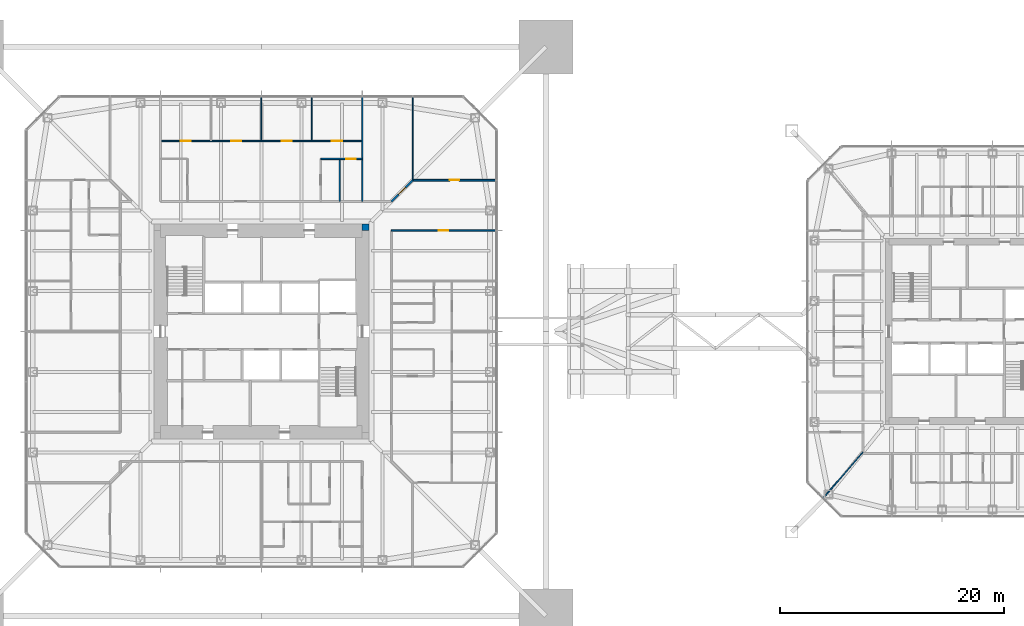
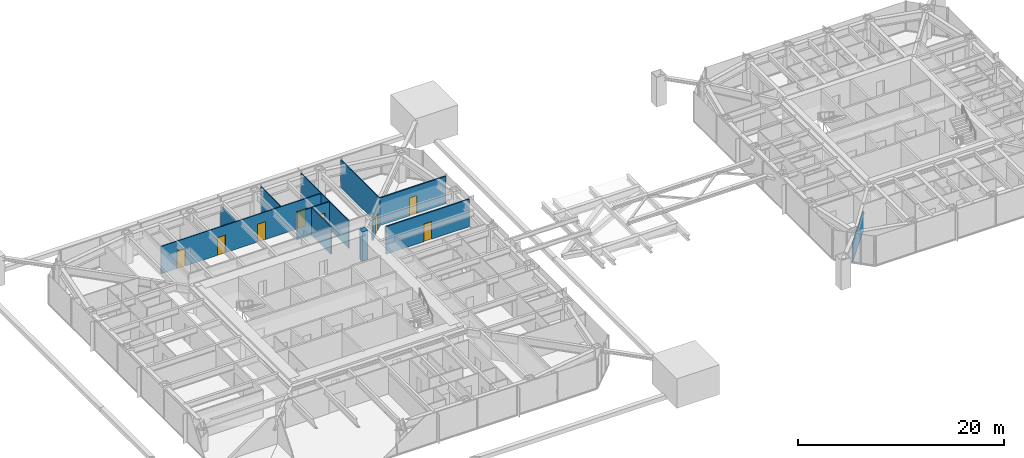
# One storey, part 17 of 26: 12 walls, 8 doors, 8 openings.
"""IFC4 building model written with IfcOpenShell, lengths in metres."""

from ifc_helpers import new_model, si_unit, direction, frame, frame_2d, origin, place, context, subcontext, project, spatial, rectangle, extrude, material, layer, layer_set, type_object, element, fill, save


model = new_model("IFC4")

# Units and contexts
model_context = context("Model", 3, precision=1e-05, world=origin(), true_north=direction((0.0, 1.0)))
body_context = subcontext(model_context, "Body", "Model", "MODEL_VIEW")
ifc_project = project(units=[si_unit("LENGTHUNIT", "METRE"), si_unit("AREAUNIT", "SQUARE_METRE"), si_unit("VOLUMEUNIT", "CUBIC_METRE"), si_unit("PLANEANGLEUNIT", "RADIAN"), si_unit("MASSUNIT", "GRAM", prefix="KILO")], contexts=[model_context])

# Site, building, storey
site_placement = place(None, origin())
site = spatial("IfcSite", under=ifc_project, at=site_placement, CompositionType="ELEMENT")
building_placement = place(site_placement, origin())
building = spatial("IfcBuilding", under=site, at=building_placement, Name="Iwan Alto Co-Living Towers", CompositionType="ELEMENT")
storey_placement = place(building_placement, frame((0.0, 0.0, 126.0)))
storey = spatial("IfcBuildingStorey", under=building, at=storey_placement, Name="L34", CompositionType="ELEMENT", Elevation=126.0)

# Wall, opening, door
ifc_material_1 = material(Name="Gypsum board")
ifc_layer_1 = layer(ifc_material_1, 0.02490234375, Name="Board", Category="Finish")
ifc_material_2 = material(Name="Steel ASTM A1003 ST33H cold-formed studs", Category="steel")
ifc_layer_2 = layer(ifc_material_2, 0.10009765625, Name="Studs", Category="Framing")
ifc_layer_3 = layer(ifc_material_1, 0.02490234375, Name="Board", Category="Finish")
ifc_layer_set_1 = layer_set([ifc_layer_1, ifc_layer_2, ifc_layer_3], Name="CORRIDOR WALL 150")
wall_type_1 = type_object("IfcWallType", Name="CORRIDOR WALL 150", PredefinedType="PARTITIONING", material=ifc_layer_set_1)
wall_1_placement = place(storey_placement, frame((11.60009765625, 9.0, 0.0), z_axis=(0.0, 0.0, 1.0), x_axis=(1.0, 0.0, 0.0)))
wall_1 = element("IfcWall", 1, at=wall_1_placement, inside=storey, type_object=wall_type_1, Name="Partition L34", PredefinedType="PARTITIONING", context=body_context, shape_type="SweptSolid", body=[
    extrude(rectangle(XDim=9.33984375, YDim=0.14990234375, at=frame_2d((4.669921875, 0.0))), origin(), (0.0, 0.0, 1.0), 3.27001953125),
])
opening_1_placement = place(wall_1_placement, frame((4.2451171875, 0.0, 0.0)))
opening_1 = element("IfcOpeningElement", 2, at=opening_1_placement, cuts=wall_1, Name="Opening D2", PredefinedType="OPENING", context=body_context, shape_type="SweptSolid", body=[
    extrude(rectangle(XDim=0.85009765625, YDim=2.10009765625, at=frame_2d((0.425048828125, 1.050048828125))), frame((0.0, 0.0849609375, 0.0), z_axis=(0.0, -1.0, 0.0), x_axis=(1.0, 0.0, 0.0)), (0.0, 0.0, 1.0), 0.169921875),
])
ifc_material_3 = material(Name="Timber leaf in steel frame", Category="steel")
door_type_1 = type_object("IfcDoorType", Name="ROOM DOOR 850X2100", OperationType="SINGLE_SWING_LEFT", PredefinedType="DOOR", material=ifc_material_3)
door_1_placement = place(opening_1_placement, frame((0.85009765625, 0.0, 0.0), z_axis=(0.0, 0.0, 1.0), x_axis=(-1.0, 0.0, 0.0)))
door_1 = element("IfcDoor", 3, at=door_1_placement, inside=storey, type_object=door_type_1, Name="Teaching kitchen door L34", OperationType="SINGLE_SWING_RIGHT", OverallHeight=2.10009765625, OverallWidth=0.85009765625, PredefinedType="DOOR", context=body_context, shape_type="SweptSolid", body=[
    extrude(rectangle(XDim=0.85009765625, YDim=2.10009765625, at=frame_2d((0.425048828125, 1.050048828125))), frame((0.0, 0.02490234375, 0.0), z_axis=(0.0, -1.0, 0.0), x_axis=(1.0, 0.0, 0.0)), (0.0, 0.0, 1.0), 0.050048828125),
])
fill(opening_1, door_1)

wall_2_placement = place(storey_placement, frame((13.5, 13.5, 0.0), z_axis=(0.0, 0.0, 1.0), x_axis=(1.0, 0.0, 0.0)))
wall_2 = element("IfcWall", 4, at=wall_2_placement, inside=storey, type_object=wall_type_1, Name="Partition L34", PredefinedType="PARTITIONING", context=body_context, shape_type="SweptSolid", body=[
    extrude(rectangle(XDim=7.43994140625, YDim=0.14990234375, at=frame_2d((3.719970703125, 0.0))), origin(), (0.0, 0.0, 1.0), 3.27001953125),
])
opening_2_placement = place(wall_2_placement, frame((3.294921875, 0.0, 0.0)))
opening_2 = element("IfcOpeningElement", 5, at=opening_2_placement, cuts=wall_2, Name="Opening D2", PredefinedType="OPENING", context=body_context, shape_type="SweptSolid", body=[
    extrude(rectangle(XDim=0.85009765625, YDim=2.10009765625, at=frame_2d((0.425048828125, 1.050048828125))), frame((0.0, 0.0849609375, 0.0), z_axis=(0.0, -1.0, 0.0), x_axis=(1.0, 0.0, 0.0)), (0.0, 0.0, 1.0), 0.169921875),
])
door_2_placement = place(opening_2_placement, origin())
door_2 = element("IfcDoor", 6, at=door_2_placement, inside=storey, type_object=door_type_1, Name="Shared kitchen and lounge door L34", OperationType="SINGLE_SWING_LEFT", OverallHeight=2.10009765625, OverallWidth=0.85009765625, PredefinedType="DOOR", context=body_context, shape_type="SweptSolid", body=[
    extrude(rectangle(XDim=0.85009765625, YDim=2.10009765625, at=frame_2d((0.425048828125, 1.050048828125))), frame((0.0, 0.02490234375, 0.0), z_axis=(0.0, -1.0, 0.0), x_axis=(1.0, 0.0, 0.0)), (0.0, 0.0, 1.0), 0.050048828125),
])
fill(opening_2, door_2)

wall_3_placement = place(storey_placement, frame((11.60009765625, 11.60009765625, 0.0), z_axis=(0.0, 0.0, 1.0), x_axis=(0.707106781187, 0.707106781187, 0.0)))
wall_3 = element("IfcWall", 7, at=wall_3_placement, inside=storey, type_object=wall_type_1, Name="Partition L34", PredefinedType="PARTITIONING", context=body_context, shape_type="SweptSolid", body=[
    extrude(rectangle(XDim=2.686767578125, YDim=0.14990234375, at=frame_2d((1.34326171875, 0.0))), origin(), (0.0, 0.0, 1.0), 2.343017578125),
])
opening_3_placement = place(wall_3_placement, frame((0.9189453125, 0.0, 0.0)))
opening_3 = element("IfcOpeningElement", 8, at=opening_3_placement, cuts=wall_3, Name="Opening D2", PredefinedType="OPENING", context=body_context, shape_type="SweptSolid", body=[
    extrude(rectangle(XDim=0.85009765625, YDim=2.10009765625, at=frame_2d((0.425048828125, 1.050048828125))), frame((0.0, 0.0849609375, 0.0), z_axis=(0.0, -1.0, 0.0), x_axis=(1.0, 0.0, 0.0)), (0.0, 0.0, 1.0), 0.169921875),
])
door_3_placement = place(opening_3_placement, origin())
door_3 = element("IfcDoor", 9, at=door_3_placement, inside=storey, type_object=door_type_1, Name="Teaching kitchen door L34", OperationType="SINGLE_SWING_LEFT", OverallHeight=2.10009765625, OverallWidth=0.85009765625, PredefinedType="DOOR", context=body_context, shape_type="SweptSolid", body=[
    extrude(rectangle(XDim=0.85009765625, YDim=2.10009765625, at=frame_2d((0.425048828125, 1.050048828125))), frame((0.0, 0.02490234375, 0.0), z_axis=(0.0, -1.0, 0.0), x_axis=(1.0, 0.0, 0.0)), (0.0, 0.0, 1.0), 0.050048828125),
])
fill(opening_3, door_3)

# Wall, openings, doors
ifc_layer_4 = layer(ifc_material_1, 0.012451171875, Name="Board", Category="Finish")
ifc_layer_5 = layer(ifc_material_2, 0.074951171875, Name="Studs", Category="Framing")
ifc_layer_6 = layer(ifc_material_1, 0.012451171875, Name="Board", Category="Finish")
ifc_layer_set_2 = layer_set([ifc_layer_4, ifc_layer_5, ifc_layer_6], Name="PARTITION 100")
wall_type_2 = type_object("IfcWallType", Name="PARTITION 100", PredefinedType="PARTITIONING", material=ifc_layer_set_2)
wall_4_placement = place(storey_placement, frame((-9.0, 17.0, 0.0), z_axis=(0.0, 0.0, 1.0), x_axis=(1.0, 0.0, 0.0)))
wall_4 = element("IfcWall", 10, at=wall_4_placement, inside=storey, type_object=wall_type_2, Name="Partition L34", PredefinedType="PARTITIONING", context=body_context, shape_type="SweptSolid", body=[
    extrude(rectangle(XDim=18.0, YDim=0.10009765625, at=frame_2d((9.0, 0.0))), origin(), (0.0, 0.0, 1.0), 3.27001953125),
])
opening_4_placement = place(wall_4_placement, frame((15.300048828125, 0.0, 0.0)))
opening_4 = element("IfcOpeningElement", 11, at=opening_4_placement, cuts=wall_4, Name="Opening D1", PredefinedType="OPENING", context=body_context, shape_type="SweptSolid", body=[
    extrude(rectangle(XDim=0.89990234375, YDim=2.10009765625, at=frame_2d((0.449951171875, 1.050048828125))), frame((0.0, 0.06005859375, 0.0), z_axis=(0.0, -1.0, 0.0), x_axis=(1.0, 0.0, 0.0)), (0.0, 0.0, 1.0), 0.1201171875),
])
opening_5_placement = place(wall_4_placement, frame((10.800048828125, 0.0, 0.0)))
opening_5 = element("IfcOpeningElement", 12, at=opening_5_placement, cuts=wall_4, Name="Opening D1", PredefinedType="OPENING", context=body_context, shape_type="SweptSolid", body=[
    extrude(rectangle(XDim=0.89990234375, YDim=2.10009765625, at=frame_2d((0.449951171875, 1.050048828125))), frame((0.0, 0.06005859375, 0.0), z_axis=(0.0, -1.0, 0.0), x_axis=(1.0, 0.0, 0.0)), (0.0, 0.0, 1.0), 0.1201171875),
])
opening_6_placement = place(wall_4_placement, frame((6.300048828125, 0.0, 0.0)))
opening_6 = element("IfcOpeningElement", 13, at=opening_6_placement, cuts=wall_4, Name="Opening D1", PredefinedType="OPENING", context=body_context, shape_type="SweptSolid", body=[
    extrude(rectangle(XDim=0.89990234375, YDim=2.10009765625, at=frame_2d((0.449951171875, 1.050048828125))), frame((0.0, 0.06005859375, 0.0), z_axis=(0.0, -1.0, 0.0), x_axis=(1.0, 0.0, 0.0)), (0.0, 0.0, 1.0), 0.1201171875),
])
opening_7_placement = place(wall_4_placement, frame((1.800048828125, 0.0, 0.0)))
opening_7 = element("IfcOpeningElement", 14, at=opening_7_placement, cuts=wall_4, Name="Opening D1", PredefinedType="OPENING", context=body_context, shape_type="SweptSolid", body=[
    extrude(rectangle(XDim=0.89990234375, YDim=2.10009765625, at=frame_2d((0.449951171875, 1.050048828125))), frame((0.0, 0.06005859375, 0.0), z_axis=(0.0, -1.0, 0.0), x_axis=(1.0, 0.0, 0.0)), (0.0, 0.0, 1.0), 0.1201171875),
])
ifc_material_4 = material(Name="Timber leaf in steel frame", Category="steel")
door_type_2 = type_object("IfcDoorType", Name="BEDROOM DOOR 900X2100", OperationType="SINGLE_SWING_LEFT", PredefinedType="DOOR", material=ifc_material_4)
door_4_placement = place(opening_4_placement, frame((0.89990234375, 0.0, 0.0), z_axis=(0.0, 0.0, 1.0), x_axis=(-1.0, 0.0, 0.0)))
door_4 = element("IfcDoor", 15, at=door_4_placement, inside=storey, type_object=door_type_2, Name="Study bedroom door L34", OperationType="SINGLE_SWING_LEFT", OverallHeight=2.10009765625, OverallWidth=0.89990234375, PredefinedType="DOOR", context=body_context, shape_type="SweptSolid", body=[
    extrude(rectangle(XDim=0.89990234375, YDim=2.10009765625, at=frame_2d((0.449951171875, 1.050048828125))), frame((0.0, 0.02490234375, 0.0), z_axis=(0.0, -1.0, 0.0), x_axis=(1.0, 0.0, 0.0)), (0.0, 0.0, 1.0), 0.050048828125),
])
fill(opening_4, door_4)
door_5_placement = place(opening_5_placement, frame((0.89990234375, 0.0, 0.0), z_axis=(0.0, 0.0, 1.0), x_axis=(-1.0, 0.0, 0.0)))
door_5 = element("IfcDoor", 16, at=door_5_placement, inside=storey, type_object=door_type_2, Name="Study bedroom door L34", OperationType="SINGLE_SWING_LEFT", OverallHeight=2.10009765625, OverallWidth=0.89990234375, PredefinedType="DOOR", context=body_context, shape_type="SweptSolid", body=[
    extrude(rectangle(XDim=0.89990234375, YDim=2.10009765625, at=frame_2d((0.449951171875, 1.050048828125))), frame((0.0, 0.02490234375, 0.0), z_axis=(0.0, -1.0, 0.0), x_axis=(1.0, 0.0, 0.0)), (0.0, 0.0, 1.0), 0.050048828125),
])
fill(opening_5, door_5)
door_6_placement = place(opening_6_placement, frame((0.89990234375, 0.0, 0.0), z_axis=(0.0, 0.0, 1.0), x_axis=(-1.0, 0.0, 0.0)))
door_6 = element("IfcDoor", 17, at=door_6_placement, inside=storey, type_object=door_type_2, Name="Study bedroom door L34", OperationType="SINGLE_SWING_RIGHT", OverallHeight=2.10009765625, OverallWidth=0.89990234375, PredefinedType="DOOR", context=body_context, shape_type="SweptSolid", body=[
    extrude(rectangle(XDim=0.89990234375, YDim=2.10009765625, at=frame_2d((0.449951171875, 1.050048828125))), frame((0.0, 0.02490234375, 0.0), z_axis=(0.0, -1.0, 0.0), x_axis=(1.0, 0.0, 0.0)), (0.0, 0.0, 1.0), 0.050048828125),
])
fill(opening_6, door_6)
door_7_placement = place(opening_7_placement, frame((0.89990234375, 0.0, 0.0), z_axis=(0.0, 0.0, 1.0), x_axis=(-1.0, 0.0, 0.0)))
door_7 = element("IfcDoor", 18, at=door_7_placement, inside=storey, type_object=door_type_2, Name="Study bedroom door L34", OperationType="SINGLE_SWING_RIGHT", OverallHeight=2.10009765625, OverallWidth=0.89990234375, PredefinedType="DOOR", context=body_context, shape_type="SweptSolid", body=[
    extrude(rectangle(XDim=0.89990234375, YDim=2.10009765625, at=frame_2d((0.449951171875, 1.050048828125))), frame((0.0, 0.02490234375, 0.0), z_axis=(0.0, -1.0, 0.0), x_axis=(1.0, 0.0, 0.0)), (0.0, 0.0, 1.0), 0.050048828125),
])
fill(opening_7, door_7)

# Walls
wall_5_placement = place(storey_placement, frame((50.178955078125, -14.843994140625, 0.0), z_axis=(0.0, 0.0, 1.0), x_axis=(0.653713095188, 0.756742485381, 0.0)))
element("IfcWall", 19, at=wall_5_placement, inside=storey, type_object=wall_type_2, Name="Partition L34", PredefinedType="PARTITIONING", context=body_context, shape_type="SweptSolid", body=[
    extrude(rectangle(XDim=5.38623046875, YDim=0.10009765625, at=frame_2d((2.693115234375, 0.0))), origin(), (0.0, 0.0, 1.0), 2.322998046875),
])
wall_6_placement = place(storey_placement, frame((13.5, 13.5, 0.0), z_axis=(0.0, 0.0, 1.0), x_axis=(0.0, 1.0, 0.0)))
element("IfcWall", 20, at=wall_6_placement, inside=storey, type_object=wall_type_2, Name="Partition L34", PredefinedType="PARTITIONING", context=body_context, shape_type="SweptSolid", body=[
    extrude(rectangle(XDim=7.43994140625, YDim=0.10009765625, at=frame_2d((3.719970703125, 0.0))), origin(), (0.0, 0.0, 1.0), 3.27001953125),
])
wall_7_placement = place(storey_placement, frame((9.0, 11.60009765625, 0.0), z_axis=(0.0, 0.0, 1.0), x_axis=(0.0, 1.0, 0.0)))
element("IfcWall", 21, at=wall_7_placement, inside=storey, type_object=wall_type_2, Name="Partition L34", PredefinedType="PARTITIONING", context=body_context, shape_type="SweptSolid", body=[
    extrude(rectangle(XDim=9.33984375, YDim=0.10009765625, at=frame_2d((4.669921875, 0.0))), origin(), (0.0, 0.0, 1.0), 3.27001953125),
])
wall_8_placement = place(storey_placement, frame((4.5, 17.0, 0.0), z_axis=(0.0, 0.0, 1.0), x_axis=(0.0, 1.0, 0.0)))
element("IfcWall", 22, at=wall_8_placement, inside=storey, type_object=wall_type_2, Name="Partition L34", PredefinedType="PARTITIONING", context=body_context, shape_type="SweptSolid", body=[
    extrude(rectangle(XDim=3.93994140625, YDim=0.10009765625, at=frame_2d((1.969970703125, 0.0))), origin(), (0.0, 0.0, 1.0), 3.27001953125),
])
wall_9_placement = place(storey_placement, frame((0.0, 17.0, 0.0), z_axis=(0.0, 0.0, 1.0), x_axis=(0.0, 1.0, 0.0)))
element("IfcWall", 23, at=wall_9_placement, inside=storey, type_object=wall_type_2, Name="Partition L34", PredefinedType="PARTITIONING", context=body_context, shape_type="SweptSolid", body=[
    extrude(rectangle(XDim=3.93994140625, YDim=0.10009765625, at=frame_2d((1.969970703125, 0.0))), origin(), (0.0, 0.0, 1.0), 2.586669921875),
])
ifc_material_5 = material(Name="Concrete f'c 70 MPa", Category="concrete")
ifc_layer_7 = layer(ifc_material_5, 0.60009765625)
ifc_layer_set_3 = layer_set([ifc_layer_7], Name="T1 CORE CORNER FILL 600")
wall_type_3 = type_object("IfcWallType", Name="T1 CORE CORNER FILL 600", PredefinedType="SOLIDWALL", material=ifc_layer_set_3)
wall_10_placement = place(storey_placement, frame((9.0, 9.300048828125, 0.0), z_axis=(0.0, 0.0, 1.0), x_axis=(1.0, 0.0, 0.0)))
element("IfcWall", 24, at=wall_10_placement, inside=storey, type_object=wall_type_3, Name="T1 core corner NE L34", PredefinedType="SOLIDWALL", context=body_context, shape_type="SweptSolid", body=[
    extrude(rectangle(XDim=0.60009765625, YDim=0.60009765625, at=frame_2d((0.300048828125, 0.0))), origin(), (0.0, 0.0, 1.0), 3.5),
])

# Wall, opening, door
ifc_material_6 = material(Name="Cement board")
ifc_layer_8 = layer(ifc_material_6, 0.012451171875, Name="Board", Category="Finish")
ifc_layer_9 = layer(ifc_material_2, 0.094970703125, Name="Studs", Category="Framing")
ifc_layer_10 = layer(ifc_material_6, 0.012451171875, Name="Board", Category="Finish")
ifc_layer_set_4 = layer_set([ifc_layer_8, ifc_layer_9, ifc_layer_10], Name="WET AREA PARTITION 120")
wall_type_4 = type_object("IfcWallType", Name="WET AREA PARTITION 120", PredefinedType="PARTITIONING", material=ifc_layer_set_4)
wall_11_placement = place(storey_placement, frame((5.300048828125, 15.39990234375, 0.0), z_axis=(0.0, 0.0, 1.0), x_axis=(1.0, 0.0, 0.0)))
wall_11 = element("IfcWall", 25, at=wall_11_placement, inside=storey, type_object=wall_type_4, Name="Partition L34", PredefinedType="PARTITIONING", context=body_context, shape_type="SweptSolid", body=[
    extrude(rectangle(XDim=3.699951171875, YDim=0.1201171875, at=frame_2d((1.85009765625, 0.0))), origin(), (0.0, 0.0, 1.0), 3.27001953125),
])
opening_8_placement = place(wall_11_placement, frame((2.27490234375, 0.0, 0.0)))
opening_8 = element("IfcOpeningElement", 26, at=opening_8_placement, cuts=wall_11, Name="Opening D2", PredefinedType="OPENING", context=body_context, shape_type="SweptSolid", body=[
    extrude(rectangle(XDim=0.85009765625, YDim=2.10009765625, at=frame_2d((0.425048828125, 1.050048828125))), frame((0.0, 0.070068359375, 0.0), z_axis=(0.0, -1.0, 0.0), x_axis=(1.0, 0.0, 0.0)), (0.0, 0.0, 1.0), 0.14013671875),
])
door_8_placement = place(opening_8_placement, origin())
door_8 = element("IfcDoor", 27, at=door_8_placement, inside=storey, type_object=door_type_1, Name="Laundry door L34", OperationType="SINGLE_SWING_RIGHT", OverallHeight=2.10009765625, OverallWidth=0.85009765625, PredefinedType="DOOR", context=body_context, shape_type="SweptSolid", body=[
    extrude(rectangle(XDim=0.85009765625, YDim=2.10009765625, at=frame_2d((0.425048828125, 1.050048828125))), frame((0.0, 0.02490234375, 0.0), z_axis=(0.0, -1.0, 0.0), x_axis=(1.0, 0.0, 0.0)), (0.0, 0.0, 1.0), 0.050048828125),
])
fill(opening_8, door_8)

# Wall
wall_12_placement = place(storey_placement, frame((7.0, 11.60009765625, 0.0), z_axis=(0.0, 0.0, 1.0), x_axis=(0.0, 1.0, 0.0)))
element("IfcWall", 28, at=wall_12_placement, inside=storey, type_object=wall_type_4, Name="Partition L34", PredefinedType="PARTITIONING", context=body_context, shape_type="SweptSolid", body=[
    extrude(rectangle(XDim=3.7998046875, YDim=0.1201171875, at=frame_2d((1.89990234375, 0.0))), origin(), (0.0, 0.0, 1.0), 3.27001953125),
])

save(model, "model.ifc")
